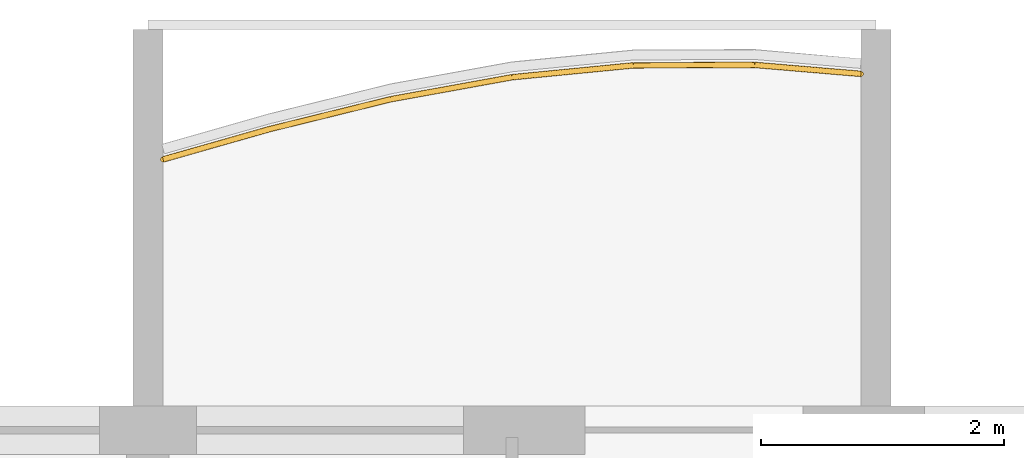
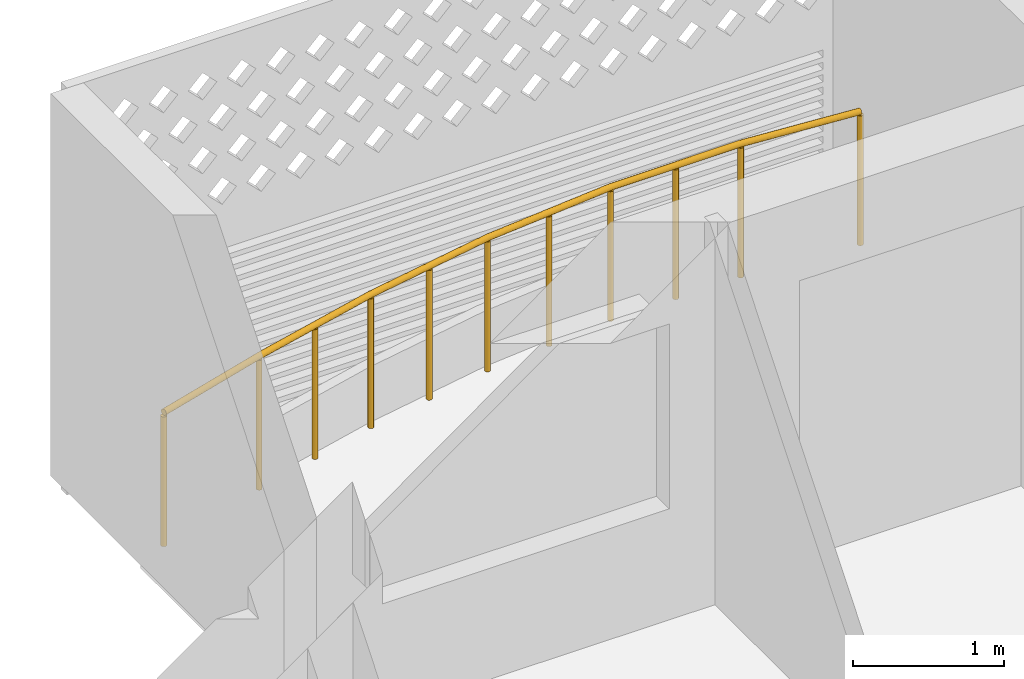
# One storey, part 25 of 29: 1 railing.
"""IFC4 building model written with IfcOpenShell, lengths in metres."""

from ifc_helpers import new_model, si_unit, direction, frame, origin, origin_2d, place, context, subcontext, project, spatial, circle, extrude, material, type_object, element, save


model = new_model("IFC4")

# Units and contexts
model_context = context("Model", 3, precision=1e-05, world=origin(), true_north=direction((0.0, 1.0)))
body_context = subcontext(model_context, "Body", "Model", "MODEL_VIEW")
ifc_project = project(units=[si_unit("LENGTHUNIT", "METRE"), si_unit("AREAUNIT", "SQUARE_METRE"), si_unit("VOLUMEUNIT", "CUBIC_METRE"), si_unit("PLANEANGLEUNIT", "RADIAN"), si_unit("MASSUNIT", "GRAM", prefix="KILO")], contexts=[model_context])

# Site, building, storey
site_placement = place(None, origin())
site = spatial("IfcSite", under=ifc_project, at=site_placement, CompositionType="ELEMENT")
building_placement = place(site_placement, origin())
building = spatial("IfcBuilding", under=site, at=building_placement, Name="Poui Terraces", CompositionType="ELEMENT")
storey_placement = place(building_placement, frame((0.0, 0.0, 86.10009765625)))
storey = spatial("IfcBuildingStorey", under=building, at=storey_placement, Name="L23", CompositionType="ELEMENT", Elevation=86.10009765625)

# Railing
ifc_material = material(Name="Painted steel fretwork", Category="steel")
railing_type = type_object("IfcRailingType", Name="BALCONY GUARD 1100", PredefinedType="GUARDRAIL", material=ifc_material)
railing_placement = place(storey_placement, frame((48.125, 45.8310546875, 0.0)))
element("IfcRailing", 1, at=railing_placement, inside=storey, type_object=railing_type, Name="BALCONY GUARD", PredefinedType="GUARDRAIL", context=body_context, shape_type="SweptSolid", body=[
    extrude(circle(Radius=0.02392578125, at=origin_2d()), frame((0.0, 0.0, 1.076171875), z_axis=(0.961736307653, 0.273976777376, 0.0), x_axis=(-0.273976777376, 0.961736307653, 0.0)), (0.0, 0.0, 1.0), 0.909912109375),
    extrude(circle(Radius=0.02392578125, at=origin_2d()), frame((0.875, 0.249267578125, 1.076171875), z_axis=(0.970918311966, 0.239411009542, 0.0), x_axis=(-0.239411009542, 0.970918311966, 0.0)), (0.0, 0.0, 1.0), 1.030029296875),
    extrude(circle(Radius=0.02392578125, at=origin_2d()), frame((1.875, 0.495849609375, 1.076171875), z_axis=(0.983942855126, 0.178483774746, 0.0), x_axis=(-0.178483774746, 0.983942855126, 0.0)), (0.0, 0.0, 1.0), 1.016357421875),
    extrude(circle(Radius=0.02392578125, at=origin_2d()), frame((2.875, 0.67724609375, 1.076171875), z_axis=(0.995265465661, 0.097193893131, 0.0), x_axis=(-0.097193893131, 0.995265465661, 0.0)), (0.0, 0.0, 1.0), 1.004638671875),
    extrude(circle(Radius=0.02392578125, at=origin_2d()), frame((3.875, 0.77490234375, 1.076171875), z_axis=(0.999992370693, 0.003906220198, 0.0), x_axis=(-0.003906220198, 0.999992370693, 0.0)), (0.0, 0.0, 1.0), 1.0),
    extrude(circle(Radius=0.02392578125, at=origin_2d()), frame((4.875, 0.77880859375, 1.076171875), z_axis=(0.996445334102, -0.08424189069, 0.0), x_axis=(0.08424189069, 0.996445334102, 0.0)), (0.0, 0.0, 1.0), 0.878173828125),
    extrude(circle(Radius=0.02099609375, at=origin_2d()), origin(), (0.0, 0.0, 1.0), 1.052001953125),
    extrude(circle(Radius=0.02099609375, at=origin_2d()), frame((0.875, 0.249267578125, 0.0)), (0.0, 0.0, 1.0), 1.052001953125),
    extrude(circle(Radius=0.02099609375, at=origin_2d()), frame((1.375, 0.37255859375, 0.0)), (0.0, 0.0, 1.0), 1.052001953125),
    extrude(circle(Radius=0.02099609375, at=origin_2d()), frame((1.875, 0.495849609375, 0.0)), (0.0, 0.0, 1.0), 1.052001953125),
    extrude(circle(Radius=0.02099609375, at=origin_2d()), frame((2.375, 0.58642578125, 0.0)), (0.0, 0.0, 1.0), 1.052001953125),
    extrude(circle(Radius=0.02099609375, at=origin_2d()), frame((2.875, 0.67724609375, 0.0)), (0.0, 0.0, 1.0), 1.052001953125),
    extrude(circle(Radius=0.02099609375, at=origin_2d()), frame((3.375, 0.72607421875, 0.0)), (0.0, 0.0, 1.0), 1.052001953125),
    extrude(circle(Radius=0.02099609375, at=origin_2d()), frame((3.875, 0.77490234375, 0.0)), (0.0, 0.0, 1.0), 1.052001953125),
    extrude(circle(Radius=0.02099609375, at=origin_2d()), frame((4.375, 0.77685546875, 0.0)), (0.0, 0.0, 1.0), 1.052001953125),
    extrude(circle(Radius=0.02099609375, at=origin_2d()), frame((4.875, 0.77880859375, 0.0)), (0.0, 0.0, 1.0), 1.052001953125),
    extrude(circle(Radius=0.02099609375, at=origin_2d()), frame((5.75, 0.704833984375, 0.0)), (0.0, 0.0, 1.0), 1.052001953125),
])

save(model, "model.ifc")
